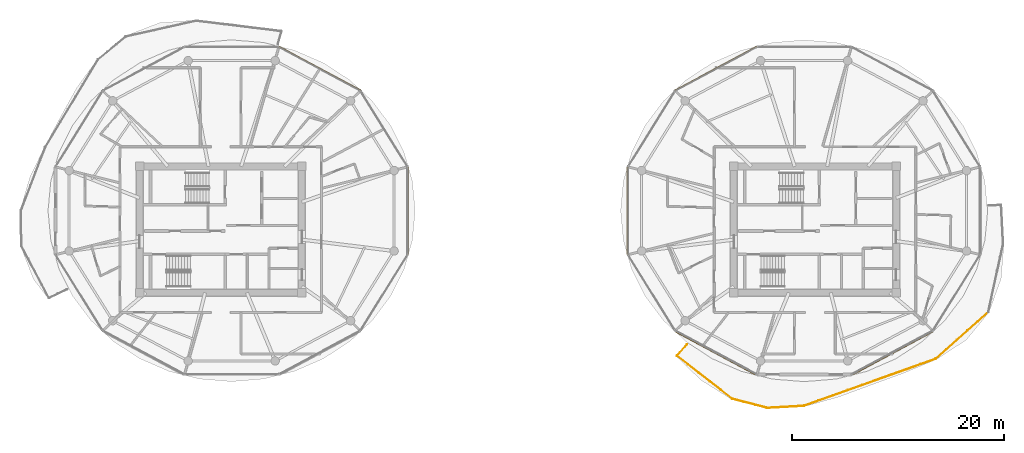
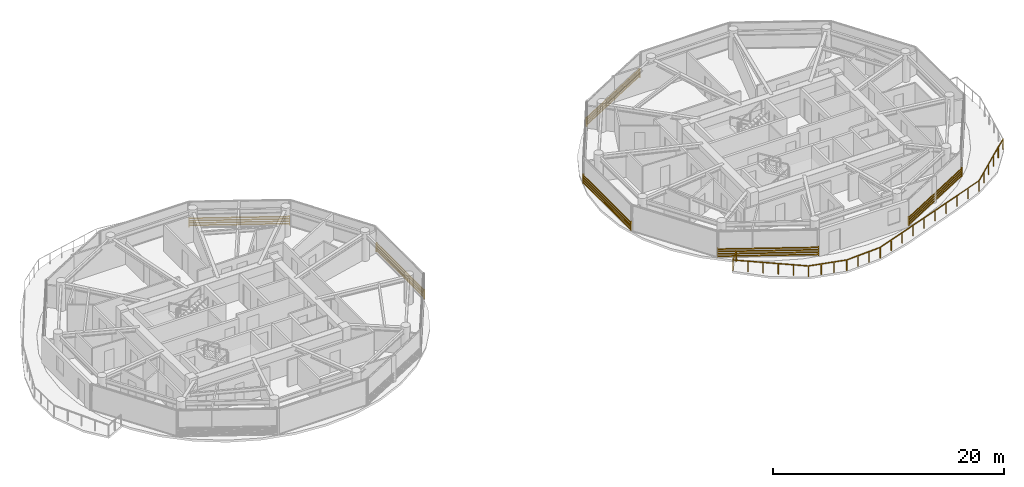
# One storey, part 21 of 22: 6 shading devices, 1 railing.
"""IFC4 building model written with IfcOpenShell, lengths in metres."""

from ifc_helpers import new_model, si_unit, direction, frame, origin, origin_2d, place, context, subcontext, project, spatial, rectangle, extrude, source, transform, mapped, material, type_object, type_shapes, element, save


model = new_model("IFC4")

# Units and contexts
model_context = context("Model", 3, precision=1e-05, world=origin(), true_north=direction((0.0, 1.0)))
body_context = subcontext(model_context, "Body", "Model", "MODEL_VIEW")
ifc_project = project(units=[si_unit("LENGTHUNIT", "METRE"), si_unit("AREAUNIT", "SQUARE_METRE"), si_unit("VOLUMEUNIT", "CUBIC_METRE"), si_unit("PLANEANGLEUNIT", "RADIAN"), si_unit("MASSUNIT", "GRAM", prefix="KILO")], contexts=[model_context])

# Site, building, storey
site_placement = place(None, origin())
site = spatial("IfcSite", under=ifc_project, at=site_placement, CompositionType="ELEMENT")
building_placement = place(site_placement, origin())
building = spatial("IfcBuilding", under=site, at=building_placement, Name="Norrkilde Senior Care Towers", CompositionType="ELEMENT")
storey_placement = place(building_placement, frame((0.0, 0.0, 152.60009765625)))
storey = spatial("IfcBuildingStorey", under=building, at=storey_placement, Name="L47", CompositionType="ELEMENT", Elevation=152.60009765625)

# Railing
ifc_material_1 = material(Name="Anodised Aluminium", Category="aluminium")
railing_type = type_object("IfcRailingType", Name="Balcony Swirl Ribbon Guardrail 1150", PredefinedType="GUARDRAIL", material=ifc_material_1)
railing_placement = place(storey_placement, frame((44.336669921875, -7.75439453125, 0.0)))
element("IfcRailing", 1, at=railing_placement, inside=storey, type_object=railing_type, Name="L47 Perimeter Safety Guard 01", PredefinedType="GUARDRAIL", context=body_context, shape_type="SweptSolid", body=[
    extrude(rectangle(XDim=0.048095703125, YDim=0.048095703125, at=origin_2d()), frame((0.0, 0.0, 1.1259765625), z_axis=(-0.745549673959, -0.666450060889, 0.0), x_axis=(0.666450060889, -0.745549673959, 0.0)), (0.0, 0.0, 1.0), 6.604248046875),
    extrude(rectangle(XDim=0.048095703125, YDim=0.048095703125, at=origin_2d()), frame((-4.992919921875, -4.4423828125, 1.1259765625), z_axis=(-0.941960380437, -0.335724055865, 0.0), x_axis=(0.335724055865, -0.941960380437, 0.0)), (0.0, 0.0, 1.0), 13.10400390625),
    extrude(rectangle(XDim=0.048095703125, YDim=0.048095703125, at=origin_2d()), frame((-17.41552734375, -8.857666015625, 1.1259765625), z_axis=(-0.998391429938, -0.056697024841, 0.0), x_axis=(0.056697024841, -0.998391429938, 0.0)), (0.0, 0.0, 1.0), 3.367431640625),
    extrude(rectangle(XDim=0.048095703125, YDim=0.048095703125, at=origin_2d()), frame((-20.85791015625, -9.040771484375, 1.1259765625), z_axis=(-0.967850501519, 0.251526155121, 0.0), x_axis=(-0.251526155121, -0.967850501519, 0.0)), (0.0, 0.0, 1.0), 3.358154296875),
    extrude(rectangle(XDim=0.048095703125, YDim=0.048095703125, at=origin_2d()), frame((-24.179931640625, -8.16064453125, 1.1259765625), z_axis=(-0.788887079659, 0.614538180707, 0.0), x_axis=(-0.614538180707, -0.788887079659, 0.0)), (0.0, 0.0, 1.0), 6.506591796875),
    extrude(rectangle(XDim=0.048095703125, YDim=0.048095703125, at=origin_2d()), frame((-29.318115234375, -4.1064453125, 1.1259765625), z_axis=(0.662573882203, 0.74899656249, 0.0), x_axis=(-0.74899656249, 0.662573882203, 0.0)), (0.0, 0.0, 1.0), 1.3828125),
    extrude(rectangle(XDim=0.0419921875, YDim=0.0419921875, at=origin_2d()), origin(), (0.0, 0.0, 1.0), 1.099853515625),
    extrude(rectangle(XDim=0.0419921875, YDim=0.0419921875, at=origin_2d()), frame((-0.990966796875, -0.8857421875, 0.0)), (0.0, 0.0, 1.0), 1.099853515625),
    extrude(rectangle(XDim=0.0419921875, YDim=0.0419921875, at=origin_2d()), frame((-1.981689453125, -1.771484375, 0.0)), (0.0, 0.0, 1.0), 1.099853515625),
    extrude(rectangle(XDim=0.0419921875, YDim=0.0419921875, at=origin_2d()), frame((-2.97265625, -2.6572265625, 0.0)), (0.0, 0.0, 1.0), 1.099853515625),
    extrude(rectangle(XDim=0.0419921875, YDim=0.0419921875, at=origin_2d()), frame((-3.96337890625, -3.54296875, 0.0)), (0.0, 0.0, 1.0), 1.099853515625),
    extrude(rectangle(XDim=0.0419921875, YDim=0.0419921875, at=origin_2d()), frame((-4.954345703125, -4.4287109375, 0.0)), (0.0, 0.0, 1.0), 1.099853515625),
    extrude(rectangle(XDim=0.0419921875, YDim=0.0419921875, at=origin_2d()), frame((-6.33447265625, -4.920654296875, 0.0)), (0.0, 0.0, 1.0), 1.099853515625),
    extrude(rectangle(XDim=0.0419921875, YDim=0.0419921875, at=origin_2d()), frame((-7.71435546875, -5.412353515625, 0.0)), (0.0, 0.0, 1.0), 1.099853515625),
    extrude(rectangle(XDim=0.0419921875, YDim=0.0419921875, at=origin_2d()), frame((-9.094482421875, -5.904296875, 0.0)), (0.0, 0.0, 1.0), 1.099853515625),
    extrude(rectangle(XDim=0.0419921875, YDim=0.0419921875, at=origin_2d()), frame((-10.474609375, -6.396240234375, 0.0)), (0.0, 0.0, 1.0), 1.099853515625),
    extrude(rectangle(XDim=0.0419921875, YDim=0.0419921875, at=origin_2d()), frame((-11.8544921875, -6.887939453125, 0.0)), (0.0, 0.0, 1.0), 1.099853515625),
    extrude(rectangle(XDim=0.0419921875, YDim=0.0419921875, at=origin_2d()), frame((-13.234619140625, -7.3798828125, 0.0)), (0.0, 0.0, 1.0), 1.099853515625),
    extrude(rectangle(XDim=0.0419921875, YDim=0.0419921875, at=origin_2d()), frame((-14.61474609375, -7.871826171875, 0.0)), (0.0, 0.0, 1.0), 1.099853515625),
    extrude(rectangle(XDim=0.0419921875, YDim=0.0419921875, at=origin_2d()), frame((-15.99462890625, -8.363525390625, 0.0)), (0.0, 0.0, 1.0), 1.099853515625),
    extrude(rectangle(XDim=0.0419921875, YDim=0.0419921875, at=origin_2d()), frame((-17.374755859375, -8.85546875, 0.0)), (0.0, 0.0, 1.0), 1.099853515625),
    extrude(rectangle(XDim=0.0419921875, YDim=0.0419921875, at=origin_2d()), frame((-18.522705078125, -8.920654296875, 0.0)), (0.0, 0.0, 1.0), 1.099853515625),
    extrude(rectangle(XDim=0.0419921875, YDim=0.0419921875, at=origin_2d()), frame((-19.67041015625, -8.98583984375, 0.0)), (0.0, 0.0, 1.0), 1.099853515625),
    extrude(rectangle(XDim=0.0419921875, YDim=0.0419921875, at=origin_2d()), frame((-20.818359375, -9.051025390625, 0.0)), (0.0, 0.0, 1.0), 1.099853515625),
    extrude(rectangle(XDim=0.0419921875, YDim=0.0419921875, at=origin_2d()), frame((-21.92822265625, -8.7626953125, 0.0)), (0.0, 0.0, 1.0), 1.099853515625),
    extrude(rectangle(XDim=0.0419921875, YDim=0.0419921875, at=origin_2d()), frame((-23.037841796875, -8.47412109375, 0.0)), (0.0, 0.0, 1.0), 1.099853515625),
    extrude(rectangle(XDim=0.0419921875, YDim=0.0419921875, at=origin_2d()), frame((-24.147705078125, -8.185791015625, 0.0)), (0.0, 0.0, 1.0), 1.099853515625),
    extrude(rectangle(XDim=0.0419921875, YDim=0.0419921875, at=origin_2d()), frame((-25.187255859375, -7.3759765625, 0.0)), (0.0, 0.0, 1.0), 1.099853515625),
    extrude(rectangle(XDim=0.0419921875, YDim=0.0419921875, at=origin_2d()), frame((-26.226806640625, -6.566162109375, 0.0)), (0.0, 0.0, 1.0), 1.099853515625),
    extrude(rectangle(XDim=0.0419921875, YDim=0.0419921875, at=origin_2d()), frame((-27.26611328125, -5.756591796875, 0.0)), (0.0, 0.0, 1.0), 1.099853515625),
    extrude(rectangle(XDim=0.0419921875, YDim=0.0419921875, at=origin_2d()), frame((-28.3056640625, -4.94677734375, 0.0)), (0.0, 0.0, 1.0), 1.099853515625),
    extrude(rectangle(XDim=0.0419921875, YDim=0.0419921875, at=origin_2d()), frame((-29.34521484375, -4.136962890625, 0.0)), (0.0, 0.0, 1.0), 1.099853515625),
    extrude(rectangle(XDim=0.0419921875, YDim=0.0419921875, at=origin_2d()), frame((-28.40185546875, -3.070556640625, 0.0)), (0.0, 0.0, 1.0), 1.099853515625),
])

# Shading devices
ifc_material_2 = material(Name="Architectural Terracotta", Category="masonry")
shading_device_type = type_object("IfcShadingDeviceType", Name="Horizontal Terracotta Baguette Rack", PredefinedType="USERDEFINED", material=ifc_material_2)
shared_shape_1 = source(origin(), body_context, "Body", "SweptSolid", [
    extrude(rectangle(XDim=0.070068359375, YDim=0.110107421875, at=origin_2d()), frame((0.0, 0.090087890625, 0.125), z_axis=(1.0, 0.0, 0.0), x_axis=(0.0, 1.0, 0.0)), (0.0, 0.0, 1.0), 8.741943359375),
    extrude(rectangle(XDim=0.070068359375, YDim=0.110107421875, at=origin_2d()), frame((0.0, 0.090087890625, 0.375), z_axis=(1.0, 0.0, 0.0), x_axis=(0.0, 1.0, 0.0)), (0.0, 0.0, 1.0), 8.741943359375),
    extrude(rectangle(XDim=0.070068359375, YDim=0.110107421875, at=origin_2d()), frame((0.0, 0.090087890625, 0.625), z_axis=(1.0, 0.0, 0.0), x_axis=(0.0, 1.0, 0.0)), (0.0, 0.0, 1.0), 8.741943359375),
    extrude(rectangle(XDim=0.070068359375, YDim=0.110107421875, at=origin_2d()), frame((0.0, 0.090087890625, 0.875), z_axis=(1.0, 0.0, 0.0), x_axis=(0.0, 1.0, 0.0)), (0.0, 0.0, 1.0), 8.741943359375),
    extrude(rectangle(XDim=0.050048828125, YDim=0.1552734375, at=origin_2d()), frame((0.02490234375, 0.047607421875, 0.0)), (0.0, 0.0, 1.0), 1.0),
    extrude(rectangle(XDim=0.050048828125, YDim=0.1552734375, at=origin_2d()), frame((8.716796875, 0.047607421875, 0.0)), (0.0, 0.0, 1.0), 1.0),
])
for number, where, z_axis, x_axis, name in (
    (2, (-22.528564453125, 17.2109375, 0.079833984375), (0.0, 0.0, 1.0), (0.881000921608, -0.473119781048, 0.0), "L47 Drum W Terracotta Baguette Screen 01"),
    (3, (14.826904296875, 13.074951171875, 0.079833984375), (0.0, 0.0, 1.0), (0.881000921608, 0.473119781048, 0.0), "L47 Drum E Terracotta Baguette Screen 03"),
    (4, (22.528564453125, -13.66015625, 0.079833984375), (0.0, 0.0, 1.0), (-0.881000921608, 0.473119781048, 0.0), "L47 Drum E Terracotta Baguette Screen 07"),
):
    element("IfcShadingDevice", number, at=place(storey_placement, frame(where, z_axis=z_axis, x_axis=x_axis)), inside=storey, type_object=shading_device_type, Name=name, ObjectType="BAGUETTE", PredefinedType="USERDEFINED", context=body_context, shape_type="MappedRepresentation", body=[
        mapped(shared_shape_1, transform((0.0, 0.0, 0.0), x_axis=(1.0, 0.0, 0.0), y_axis=(0.0, 1.0, 0.0), z_axis=(0.0, 0.0, 1.0), scale=1.0)),
    ])
shared_shape_2 = source(origin(), body_context, "Body", "SweptSolid", [
    extrude(rectangle(XDim=0.070068359375, YDim=0.110107421875, at=origin_2d()), frame((0.0, 0.090087890625, 0.125), z_axis=(1.0, 0.0, 0.0), x_axis=(0.0, 1.0, 0.0)), (0.0, 0.0, 1.0), 8.74169921875),
    extrude(rectangle(XDim=0.070068359375, YDim=0.110107421875, at=origin_2d()), frame((0.0, 0.090087890625, 0.375), z_axis=(1.0, 0.0, 0.0), x_axis=(0.0, 1.0, 0.0)), (0.0, 0.0, 1.0), 8.74169921875),
    extrude(rectangle(XDim=0.070068359375, YDim=0.110107421875, at=origin_2d()), frame((0.0, 0.090087890625, 0.625), z_axis=(1.0, 0.0, 0.0), x_axis=(0.0, 1.0, 0.0)), (0.0, 0.0, 1.0), 8.74169921875),
    extrude(rectangle(XDim=0.070068359375, YDim=0.110107421875, at=origin_2d()), frame((0.0, 0.090087890625, 0.875), z_axis=(1.0, 0.0, 0.0), x_axis=(0.0, 1.0, 0.0)), (0.0, 0.0, 1.0), 8.74169921875),
    extrude(rectangle(XDim=0.050048828125, YDim=0.1552734375, at=origin_2d()), frame((0.02490234375, 0.047607421875, 0.0)), (0.0, 0.0, 1.0), 1.0),
    extrude(rectangle(XDim=0.050048828125, YDim=0.1552734375, at=origin_2d()), frame((8.716796875, 0.047607421875, 0.0)), (0.0, 0.0, 1.0), 1.0),
])
shading_device_placement = place(storey_placement, frame((39.123046875, -9.524169921875, 0.079833984375), z_axis=(0.0, 0.0, 1.0), x_axis=(-0.880997598168, -0.47313299447, 0.0)))
element("IfcShadingDevice", 5, at=shading_device_placement, inside=storey, type_object=shading_device_type, Name="L47 Drum E Terracotta Baguette Screen 09", ObjectType="BAGUETTE", PredefinedType="USERDEFINED", context=body_context, shape_type="MappedRepresentation", body=[
    mapped(shared_shape_2, transform((0.0, 0.0, 0.0), x_axis=(1.0, 0.0, 0.0), y_axis=(0.0, 1.0, 0.0), z_axis=(0.0, 0.0, 1.0), scale=1.0)),
])
shared_shape_3 = source(origin(), body_context, "Body", "SweptSolid", [
    extrude(rectangle(XDim=0.070068359375, YDim=0.110107421875, at=origin_2d()), frame((0.0, 0.090087890625, 0.125), z_axis=(1.0, 0.0, 0.0), x_axis=(0.0, 1.0, 0.0)), (0.0, 0.0, 1.0), 8.27197265625),
    extrude(rectangle(XDim=0.070068359375, YDim=0.110107421875, at=origin_2d()), frame((0.0, 0.090087890625, 0.375), z_axis=(1.0, 0.0, 0.0), x_axis=(0.0, 1.0, 0.0)), (0.0, 0.0, 1.0), 8.27197265625),
    extrude(rectangle(XDim=0.070068359375, YDim=0.110107421875, at=origin_2d()), frame((0.0, 0.090087890625, 0.625), z_axis=(1.0, 0.0, 0.0), x_axis=(0.0, 1.0, 0.0)), (0.0, 0.0, 1.0), 8.27197265625),
    extrude(rectangle(XDim=0.070068359375, YDim=0.110107421875, at=origin_2d()), frame((0.0, 0.090087890625, 0.875), z_axis=(1.0, 0.0, 0.0), x_axis=(0.0, 1.0, 0.0)), (0.0, 0.0, 1.0), 8.27197265625),
    extrude(rectangle(XDim=0.050048828125, YDim=0.1552734375, at=origin_2d()), frame((0.02490234375, 0.047607421875, 0.0)), (0.0, 0.0, 1.0), 1.0),
    extrude(rectangle(XDim=0.050048828125, YDim=0.1552734375, at=origin_2d()), frame((8.2470703125, 0.047607421875, 0.0)), (0.0, 0.0, 1.0), 1.0),
])
type_shapes(shading_device_type, [shared_shape_1, shared_shape_2, shared_shape_3])
for number, where, z_axis, x_axis, name in (
    (6, (-10.38037109375, 5.911376953125, 0.079833984375), (0.0, 0.0, 1.0), (0.0, -1.0, 0.0), "L47 Drum W Terracotta Baguette Screen 11"),
    (7, (10.38037109375, -2.360595703125, 0.079833984375), (0.0, 0.0, 1.0), (0.0, 1.0, 0.0), "L47 Drum E Terracotta Baguette Screen 05"),
):
    element("IfcShadingDevice", number, at=place(storey_placement, frame(where, z_axis=z_axis, x_axis=x_axis)), inside=storey, type_object=shading_device_type, Name=name, ObjectType="BAGUETTE", PredefinedType="USERDEFINED", context=body_context, shape_type="MappedRepresentation", body=[
        mapped(shared_shape_3, transform((0.0, 0.0, 0.0), x_axis=(1.0, 0.0, 0.0), y_axis=(0.0, 1.0, 0.0), z_axis=(0.0, 0.0, 1.0), scale=1.0)),
    ])

save(model, "model.ifc")
